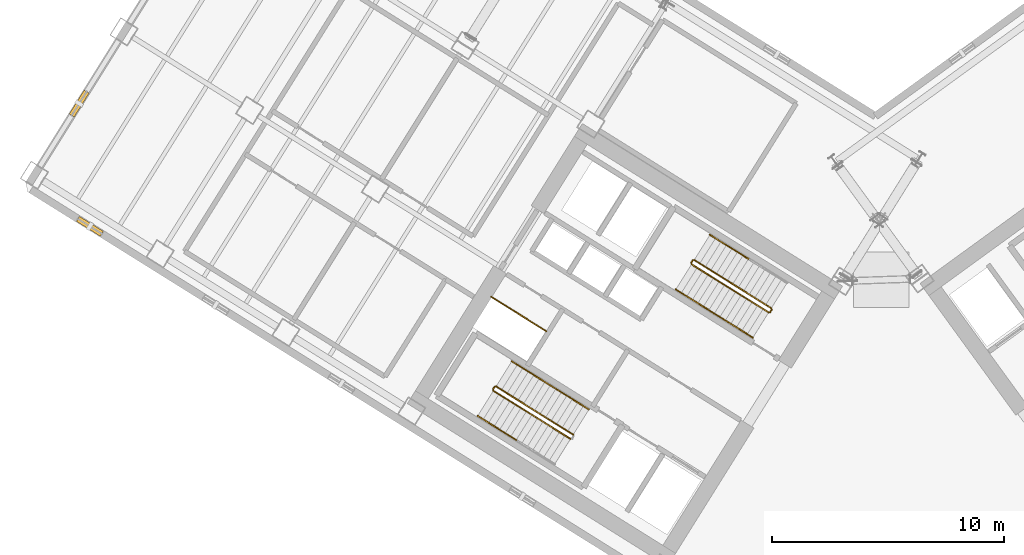
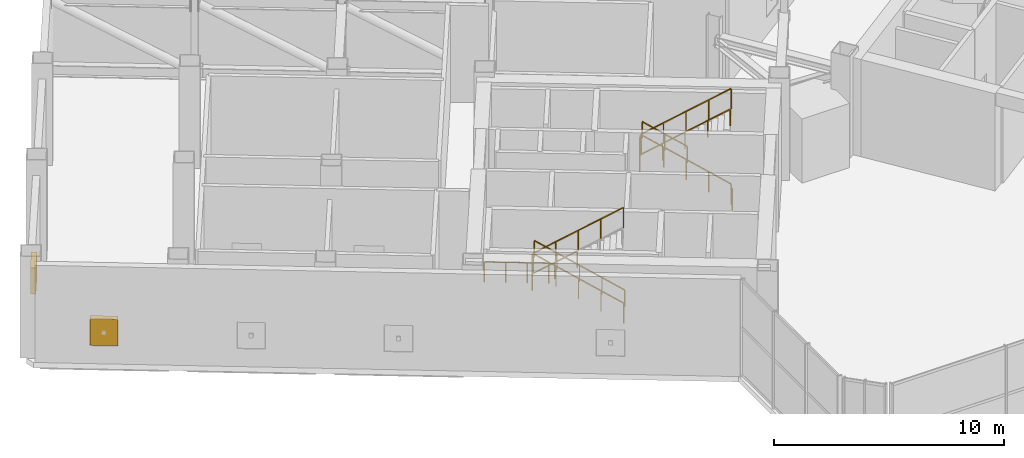
# One storey, part 19 of 21: 14 railings, 2 shading devices.
"""IFC4 building model written with IfcOpenShell, lengths in metres."""

from ifc_helpers import new_model, si_unit, direction, frame, origin, origin_2d, place, context, subcontext, project, spatial, rectangle, extrude, source, transform, mapped, material, type_object, element, save


model = new_model("IFC4")

# Units and contexts
model_context = context("Model", 3, precision=1e-05, world=origin(), true_north=direction((0.0, 1.0)))
body_context = subcontext(model_context, "Body", "Model", "MODEL_VIEW")
ifc_project = project(units=[si_unit("LENGTHUNIT", "METRE"), si_unit("AREAUNIT", "SQUARE_METRE"), si_unit("VOLUMEUNIT", "CUBIC_METRE"), si_unit("PLANEANGLEUNIT", "RADIAN"), si_unit("MASSUNIT", "GRAM", prefix="KILO")], contexts=[model_context])

# Site, building, storey
site_placement = place(None, origin())
site = spatial("IfcSite", under=ifc_project, at=site_placement, CompositionType="ELEMENT")
building_placement = place(site_placement, origin())
building = spatial("IfcBuilding", under=site, at=building_placement, Name="Tlacorven Tower", CompositionType="ELEMENT")
storey_placement = place(building_placement, frame((0.0, 0.0, 84.60009765625)))
storey = spatial("IfcBuildingStorey", under=building, at=storey_placement, Name="L21", CompositionType="ELEMENT", Elevation=84.60009765625)

# Railing
ifc_material_1 = material(Name="Aluminium and painted steel balustrade", Category="steel")
railing_type_1 = type_object("IfcRailingType", Name="RL-GRD-1100", PredefinedType="GUARDRAIL", material=ifc_material_1)
shared_shape_1 = source(origin(), body_context, "Body", "SweptSolid", [
    extrude(rectangle(XDim=0.048095703125, YDim=0.048095703125, at=origin_2d()), frame((0.0, 0.0, 1.076171875), z_axis=(-0.848091358275, 0.529850024081, 0.0), x_axis=(-0.529850024081, -0.848091358275, 0.0)), (0.0, 0.0, 1.0), 2.800048828125),
    extrude(rectangle(XDim=0.0419921875, YDim=0.0419921875, at=origin_2d()), origin(), (0.0, 0.0, 1.0), 1.052001953125),
    extrude(rectangle(XDim=0.0419921875, YDim=0.0419921875, at=origin_2d()), frame((-0.79150390625, 0.49462890625, 0.0)), (0.0, 0.0, 1.0), 1.052001953125),
    extrude(rectangle(XDim=0.0419921875, YDim=0.0419921875, at=origin_2d()), frame((-1.583251953125, 0.989013671875, 0.0)), (0.0, 0.0, 1.0), 1.052001953125),
    extrude(rectangle(XDim=0.0419921875, YDim=0.0419921875, at=origin_2d()), frame((-2.374755859375, 1.483642578125, 0.0)), (0.0, 0.0, 1.0), 1.052001953125),
])
railing_1_placement = place(storey_placement, frame((27.9912109375, 22.32080078125, 0.0)))
element("IfcRailing", 1, at=railing_1_placement, inside=storey, type_object=railing_type_1, Name="L21 Electrical Riser W Shaft Guard 1", PredefinedType="GUARDRAIL", context=body_context, shape_type="MappedRepresentation", body=[
    mapped(shared_shape_1, transform((0.0, 0.0, 0.0), scale=1.0)),
])

# Shading devices
ifc_material_2 = material(Name="Anodised bronze aluminium acoustic louvre", Category="aluminium")
shading_device_type = type_object("IfcShadingDeviceType", Name="SH-LVR-WND", PredefinedType="JALOUSIE", material=ifc_material_2)
shared_shape_2 = source(origin(), body_context, "Body", "SweptSolid", [
    extrude(rectangle(XDim=1.2099609375, YDim=0.25, at=origin_2d()), origin(), (0.0, 0.0, 1.0), 1.39990234375),
])
for number, where, z_axis, x_axis, name in (
    (2, (8.304443359375, 26.839599609375, 0.949951171875), (0.0, 0.0, 1.0), (-0.848048152806, 0.529919173576, 0.0), "L21 Storm-Resistant Acoustic Louvre Bank 1.4"),
    (3, (7.8427734375, 32.1396484375, 0.949951171875), (0.0, 0.0, 1.0), (0.529919147866, 0.848048168871, 0.0), "L21 Storm-Resistant Acoustic Louvre Bank 2.1"),
):
    element("IfcShadingDevice", number, at=place(storey_placement, frame(where, z_axis=z_axis, x_axis=x_axis)), inside=storey, type_object=shading_device_type, Name=name, PredefinedType="JALOUSIE", context=body_context, shape_type="MappedRepresentation", body=[
        mapped(shared_shape_2, transform((0.0, 0.0, 0.0), scale=1.0)),
    ])

# Railings
shared_shape_3 = source(origin(), body_context, "Body", "SweptSolid", [
    extrude(rectangle(XDim=0.048095703125, YDim=0.048095703125, at=origin_2d()), frame((0.0, 0.0, 1.076171875), z_axis=(-0.529084052582, -0.848569422795, 0.0), x_axis=(0.848569422795, -0.529084052582, 0.0)), (0.0, 0.0, 1.0), 0.119873046875),
    extrude(rectangle(XDim=0.0419921875, YDim=0.0419921875, at=origin_2d()), origin(), (0.0, 0.0, 1.0), 1.052001953125),
    extrude(rectangle(XDim=0.0419921875, YDim=0.0419921875, at=origin_2d()), frame((-0.0634765625, -0.101806640625, 0.0)), (0.0, 0.0, 1.0), 1.052001953125),
])
railing_2_placement = place(storey_placement, frame((25.767333984375, 19.913330078125, 2.699951171875)))
element("IfcRailing", 4, at=railing_2_placement, inside=storey, type_object=railing_type_1, Name="L21 ST-W1 stair guard 2", PredefinedType="GUARDRAIL", context=body_context, shape_type="MappedRepresentation", body=[
    mapped(shared_shape_3, transform((0.0, 0.0, 0.0), scale=1.0)),
])
shared_shape_4 = source(origin(), body_context, "Body", "SweptSolid", [
    extrude(rectangle(XDim=0.048095703125, YDim=0.048095703125, at=origin_2d()), frame((0.0, 0.0, 1.076171875), z_axis=(-0.713337067426, 0.445783277521, 0.540765658782), x_axis=(-0.529954152494, -0.848026294554, 0.0)), (0.0, 0.0, 1.0), 4.66015625),
    extrude(rectangle(XDim=0.0419921875, YDim=0.0419921875, at=origin_2d()), origin(), (0.0, 0.0, 1.0), 1.052001953125),
    extrude(rectangle(XDim=0.0419921875, YDim=0.0419921875, at=origin_2d()), frame((-0.8310546875, 0.519287109375, 0.6298828125)), (0.0, 0.0, 1.0), 1.052001953125),
    extrude(rectangle(XDim=0.0419921875, YDim=0.0419921875, at=origin_2d()), frame((-1.662109375, 1.03857421875, 1.260009765625)), (0.0, 0.0, 1.0), 1.052001953125),
    extrude(rectangle(XDim=0.0419921875, YDim=0.0419921875, at=origin_2d()), frame((-2.4931640625, 1.55810546875, 1.89013671875)), (0.0, 0.0, 1.0), 1.052001953125),
    extrude(rectangle(XDim=0.0419921875, YDim=0.0419921875, at=origin_2d()), frame((-3.32421875, 2.077392578125, 2.52001953125)), (0.0, 0.0, 1.0), 1.052001953125),
])
railing_3_placement = place(storey_placement, frame((29.16064453125, 17.851806640625, 0.179931640625)))
element("IfcRailing", 5, at=railing_3_placement, inside=storey, type_object=railing_type_1, Name="L21 ST-W1 stair guard 1", PredefinedType="GUARDRAIL", context=body_context, shape_type="MappedRepresentation", body=[
    mapped(shared_shape_4, transform((0.0, 0.0, 0.0), scale=1.0)),
])
shared_shape_5 = source(origin(), body_context, "Body", "SweptSolid", [
    extrude(rectangle(XDim=0.048095703125, YDim=0.048095703125, at=origin_2d()), frame((0.0, 0.0, 1.076171875), z_axis=(0.713362797158, -0.445766618272, 0.540745449972), x_axis=(0.529926163394, 0.848043785043, 0.0)), (0.0, 0.0, 1.0), 4.66015625),
    extrude(rectangle(XDim=0.0419921875, YDim=0.0419921875, at=origin_2d()), origin(), (0.0, 0.0, 1.0), 1.052001953125),
    extrude(rectangle(XDim=0.0419921875, YDim=0.0419921875, at=origin_2d()), frame((0.8310546875, -0.519287109375, 0.6298828125)), (0.0, 0.0, 1.0), 1.052001953125),
    extrude(rectangle(XDim=0.0419921875, YDim=0.0419921875, at=origin_2d()), frame((1.662109375, -1.03857421875, 1.260009765625)), (0.0, 0.0, 1.0), 1.052001953125),
    extrude(rectangle(XDim=0.0419921875, YDim=0.0419921875, at=origin_2d()), frame((2.493408203125, -1.55810546875, 1.89013671875)), (0.0, 0.0, 1.0), 1.052001953125),
    extrude(rectangle(XDim=0.0419921875, YDim=0.0419921875, at=origin_2d()), frame((3.324462890625, -2.077392578125, 2.52001953125)), (0.0, 0.0, 1.0), 1.052001953125),
])
railing_4_placement = place(storey_placement, frame((25.7197265625, 19.74267578125, 2.8798828125)))
element("IfcRailing", 6, at=railing_4_placement, inside=storey, type_object=railing_type_1, Name="L21 ST-W1 stair guard 3", PredefinedType="GUARDRAIL", context=body_context, shape_type="MappedRepresentation", body=[
    mapped(shared_shape_5, transform((0.0, 0.0, 0.0), scale=1.0)),
])
railing_type_2 = type_object("IfcRailingType", Name="RL-HND-0900", PredefinedType="HANDRAIL", material=ifc_material_1)
shared_shape_6 = source(origin(), body_context, "Body", "SweptSolid", [
    extrude(rectangle(XDim=0.048095703125, YDim=0.048095703125, at=origin_2d()), frame((0.0, 0.0, 0.8759765625), z_axis=(-0.713371865327, 0.445791935228, 0.540712615208), x_axis=(-0.529942963146, -0.848033286971, 0.0)), (0.0, 0.0, 1.0), 2.330322265625),
    extrude(rectangle(XDim=0.0419921875, YDim=0.0419921875, at=origin_2d()), origin(), (0.0, 0.0, 1.0), 0.851806640625),
    extrude(rectangle(XDim=0.0419921875, YDim=0.0419921875, at=origin_2d()), frame((-0.8310546875, 0.51953125, 0.6298828125)), (0.0, 0.0, 1.0), 0.851806640625),
    extrude(rectangle(XDim=0.0419921875, YDim=0.0419921875, at=origin_2d()), frame((-1.662353515625, 1.038818359375, 1.260009765625)), (0.0, 0.0, 1.0), 0.851806640625),
])
railing_5_placement = place(storey_placement, frame((29.839111328125, 18.937255859375, 0.179931640625)))
element("IfcRailing", 7, at=railing_5_placement, inside=storey, type_object=railing_type_2, Name="L21 ST-W1 stair handrail 1", PredefinedType="HANDRAIL", context=body_context, shape_type="MappedRepresentation", body=[
    mapped(shared_shape_6, transform((0.0, 0.0, 0.0), scale=1.0)),
])
shared_shape_7 = source(origin(), body_context, "Body", "SweptSolid", [
    extrude(rectangle(XDim=0.048095703125, YDim=0.048095703125, at=origin_2d()), frame((0.0, 0.0, 0.8759765625), z_axis=(-0.713353726602, 0.445741297439, 0.540778287749), x_axis=(-0.52990936055, -0.848054284584, 0.0)), (0.0, 0.0, 1.0), 2.330078125),
    extrude(rectangle(XDim=0.0419921875, YDim=0.0419921875, at=origin_2d()), origin(), (0.0, 0.0, 1.0), 0.851806640625),
    extrude(rectangle(XDim=0.0419921875, YDim=0.0419921875, at=origin_2d()), frame((-0.8310546875, 0.519287109375, 0.6298828125)), (0.0, 0.0, 1.0), 0.851806640625),
    extrude(rectangle(XDim=0.0419921875, YDim=0.0419921875, at=origin_2d()), frame((-1.662109375, 1.03857421875, 1.260009765625)), (0.0, 0.0, 1.0), 0.851806640625),
])
railing_6_placement = place(storey_placement, frame((28.1767578125, 19.97607421875, 1.43994140625)))
element("IfcRailing", 8, at=railing_6_placement, inside=storey, type_object=railing_type_2, Name="L21 ST-W1 stair handrail 2", PredefinedType="HANDRAIL", context=body_context, shape_type="MappedRepresentation", body=[
    mapped(shared_shape_7, transform((0.0, 0.0, 0.0), scale=1.0)),
])
shared_shape_8 = source(origin(), body_context, "Body", "SweptSolid", [
    extrude(rectangle(XDim=0.048095703125, YDim=0.048095703125, at=origin_2d()), frame((0.0, 0.0, 0.8759765625), z_axis=(0.713353726602, -0.445741297439, 0.540778287749), x_axis=(0.52990936055, 0.848054284584, 0.0)), (0.0, 0.0, 1.0), 2.330078125),
    extrude(rectangle(XDim=0.0419921875, YDim=0.0419921875, at=origin_2d()), origin(), (0.0, 0.0, 1.0), 0.851806640625),
    extrude(rectangle(XDim=0.0419921875, YDim=0.0419921875, at=origin_2d()), frame((0.8310546875, -0.519287109375, 0.6298828125)), (0.0, 0.0, 1.0), 0.851806640625),
    extrude(rectangle(XDim=0.0419921875, YDim=0.0419921875, at=origin_2d()), frame((1.662109375, -1.03857421875, 1.260009765625)), (0.0, 0.0, 1.0), 0.851806640625),
])
for number, where, name in (
    (9, (25.04150390625, 18.656982421875, 2.8798828125), "L21 ST-W1 stair handrail 3"),
    (10, (33.593017578125, 24.11474609375, 2.8798828125), "L21 ST-W2 stair handrail 3"),
):
    element("IfcRailing", number, at=place(storey_placement, frame(where)), inside=storey, type_object=railing_type_2, Name=name, PredefinedType="HANDRAIL", context=body_context, shape_type="MappedRepresentation", body=[
        mapped(shared_shape_8, transform((0.0, 0.0, 0.0), scale=1.0)),
    ])
shared_shape_9 = source(origin(), body_context, "Body", "SweptSolid", [
    extrude(rectangle(XDim=0.048095703125, YDim=0.048095703125, at=origin_2d()), frame((0.0, 0.0, 1.076171875), z_axis=(-0.530546985787, -0.847655529016, 0.0), x_axis=(0.847655529016, -0.530546985787, 0.0)), (0.0, 0.0, 1.0), 0.1201171875),
    extrude(rectangle(XDim=0.0419921875, YDim=0.0419921875, at=origin_2d()), origin(), (0.0, 0.0, 1.0), 1.052001953125),
    extrude(rectangle(XDim=0.0419921875, YDim=0.0419921875, at=origin_2d()), frame((-0.063720703125, -0.101806640625, 0.0)), (0.0, 0.0, 1.0), 1.052001953125),
])
for number, where, name in (
    (11, (34.319091796875, 25.370849609375, 2.699951171875), "L21 ST-W2 stair guard 2"),
    (12, (37.728271484375, 23.24072265625, 0.0), "L21 ST-W2 stair guard 4"),
):
    element("IfcRailing", number, at=place(storey_placement, frame(where)), inside=storey, type_object=railing_type_1, Name=name, PredefinedType="GUARDRAIL", context=body_context, shape_type="MappedRepresentation", body=[
        mapped(shared_shape_9, transform((0.0, 0.0, 0.0), scale=1.0)),
    ])
shared_shape_10 = source(origin(), body_context, "Body", "SweptSolid", [
    extrude(rectangle(XDim=0.048095703125, YDim=0.048095703125, at=origin_2d()), frame((0.0, 0.0, 1.076171875), z_axis=(-0.713353726602, 0.445741297439, 0.540778287749), x_axis=(-0.52990936055, -0.848054284584, 0.0)), (0.0, 0.0, 1.0), 4.659912109375),
    extrude(rectangle(XDim=0.0419921875, YDim=0.0419921875, at=origin_2d()), origin(), (0.0, 0.0, 1.0), 1.052001953125),
    extrude(rectangle(XDim=0.0419921875, YDim=0.0419921875, at=origin_2d()), frame((-0.8310546875, 0.519287109375, 0.6298828125)), (0.0, 0.0, 1.0), 1.052001953125),
    extrude(rectangle(XDim=0.0419921875, YDim=0.0419921875, at=origin_2d()), frame((-1.662109375, 1.03857421875, 1.260009765625)), (0.0, 0.0, 1.0), 1.052001953125),
    extrude(rectangle(XDim=0.0419921875, YDim=0.0419921875, at=origin_2d()), frame((-2.4931640625, 1.557861328125, 1.89013671875)), (0.0, 0.0, 1.0), 1.052001953125),
    extrude(rectangle(XDim=0.0419921875, YDim=0.0419921875, at=origin_2d()), frame((-3.32421875, 2.0771484375, 2.52001953125)), (0.0, 0.0, 1.0), 1.052001953125),
])
railing_7_placement = place(storey_placement, frame((37.712158203125, 23.3095703125, 0.179931640625)))
element("IfcRailing", 13, at=railing_7_placement, inside=storey, type_object=railing_type_1, Name="L21 ST-W2 stair guard 1", PredefinedType="GUARDRAIL", context=body_context, shape_type="MappedRepresentation", body=[
    mapped(shared_shape_10, transform((0.0, 0.0, 0.0), scale=1.0)),
])
shared_shape_11 = source(origin(), body_context, "Body", "SweptSolid", [
    extrude(rectangle(XDim=0.048095703125, YDim=0.048095703125, at=origin_2d()), frame((0.0, 0.0, 1.076171875), z_axis=(0.713379455689, -0.445724638981, 0.540758077523), x_axis=(0.529881371968, 0.848071772695, 0.0)), (0.0, 0.0, 1.0), 4.66015625),
    extrude(rectangle(XDim=0.0419921875, YDim=0.0419921875, at=origin_2d()), origin(), (0.0, 0.0, 1.0), 1.052001953125),
    extrude(rectangle(XDim=0.0419921875, YDim=0.0419921875, at=origin_2d()), frame((0.8310546875, -0.519287109375, 0.6298828125)), (0.0, 0.0, 1.0), 1.052001953125),
    extrude(rectangle(XDim=0.0419921875, YDim=0.0419921875, at=origin_2d()), frame((1.662109375, -1.03857421875, 1.260009765625)), (0.0, 0.0, 1.0), 1.052001953125),
    extrude(rectangle(XDim=0.0419921875, YDim=0.0419921875, at=origin_2d()), frame((2.493408203125, -1.557861328125, 1.89013671875)), (0.0, 0.0, 1.0), 1.052001953125),
    extrude(rectangle(XDim=0.0419921875, YDim=0.0419921875, at=origin_2d()), frame((3.324462890625, -2.0771484375, 2.52001953125)), (0.0, 0.0, 1.0), 1.052001953125),
])
railing_8_placement = place(storey_placement, frame((34.271240234375, 25.2001953125, 2.8798828125)))
element("IfcRailing", 14, at=railing_8_placement, inside=storey, type_object=railing_type_1, Name="L21 ST-W2 stair guard 3", PredefinedType="GUARDRAIL", context=body_context, shape_type="MappedRepresentation", body=[
    mapped(shared_shape_11, transform((0.0, 0.0, 0.0), scale=1.0)),
])
shared_shape_12 = source(origin(), body_context, "Body", "SweptSolid", [
    extrude(rectangle(XDim=0.048095703125, YDim=0.048095703125, at=origin_2d()), frame((0.0, 0.0, 0.8759765625), z_axis=(-0.71332040746, 0.445825254663, 0.540753029216), x_axis=(-0.529998940003, -0.847998304005, 0.0)), (0.0, 0.0, 1.0), 2.330078125),
    extrude(rectangle(XDim=0.0419921875, YDim=0.0419921875, at=origin_2d()), origin(), (0.0, 0.0, 1.0), 0.851806640625),
    extrude(rectangle(XDim=0.0419921875, YDim=0.0419921875, at=origin_2d()), frame((-0.8310546875, 0.51953125, 0.6298828125)), (0.0, 0.0, 1.0), 0.851806640625),
    extrude(rectangle(XDim=0.0419921875, YDim=0.0419921875, at=origin_2d()), frame((-1.662109375, 1.038818359375, 1.260009765625)), (0.0, 0.0, 1.0), 0.851806640625),
])
railing_9_placement = place(storey_placement, frame((36.728271484375, 25.43359375, 1.43994140625)))
element("IfcRailing", 15, at=railing_9_placement, inside=storey, type_object=railing_type_2, Name="L21 ST-W2 stair handrail 2", PredefinedType="HANDRAIL", context=body_context, shape_type="MappedRepresentation", body=[
    mapped(shared_shape_12, transform((0.0, 0.0, 0.0), scale=1.0)),
])
shared_shape_13 = source(origin(), body_context, "Body", "SweptSolid", [
    extrude(rectangle(XDim=0.048095703125, YDim=0.048095703125, at=origin_2d()), frame((0.0, 0.0, 0.8759765625), z_axis=(0.713371865327, -0.445791935228, 0.540712615208), x_axis=(0.529942963146, 0.848033286971, 0.0)), (0.0, 0.0, 1.0), 2.330322265625),
    extrude(rectangle(XDim=0.0419921875, YDim=0.0419921875, at=origin_2d()), origin(), (0.0, 0.0, 1.0), 0.851806640625),
    extrude(rectangle(XDim=0.0419921875, YDim=0.0419921875, at=origin_2d()), frame((0.8310546875, -0.51953125, 0.6298828125)), (0.0, 0.0, 1.0), 0.851806640625),
    extrude(rectangle(XDim=0.0419921875, YDim=0.0419921875, at=origin_2d()), frame((1.662353515625, -1.038818359375, 1.260009765625)), (0.0, 0.0, 1.0), 0.851806640625),
])
railing_10_placement = place(storey_placement, frame((35.255126953125, 23.076171875, 4.139892578125)))
element("IfcRailing", 16, at=railing_10_placement, inside=storey, type_object=railing_type_2, Name="L21 ST-W2 stair handrail 4", PredefinedType="HANDRAIL", context=body_context, shape_type="MappedRepresentation", body=[
    mapped(shared_shape_13, transform((0.0, 0.0, 0.0), scale=1.0)),
])

save(model, "model.ifc")
